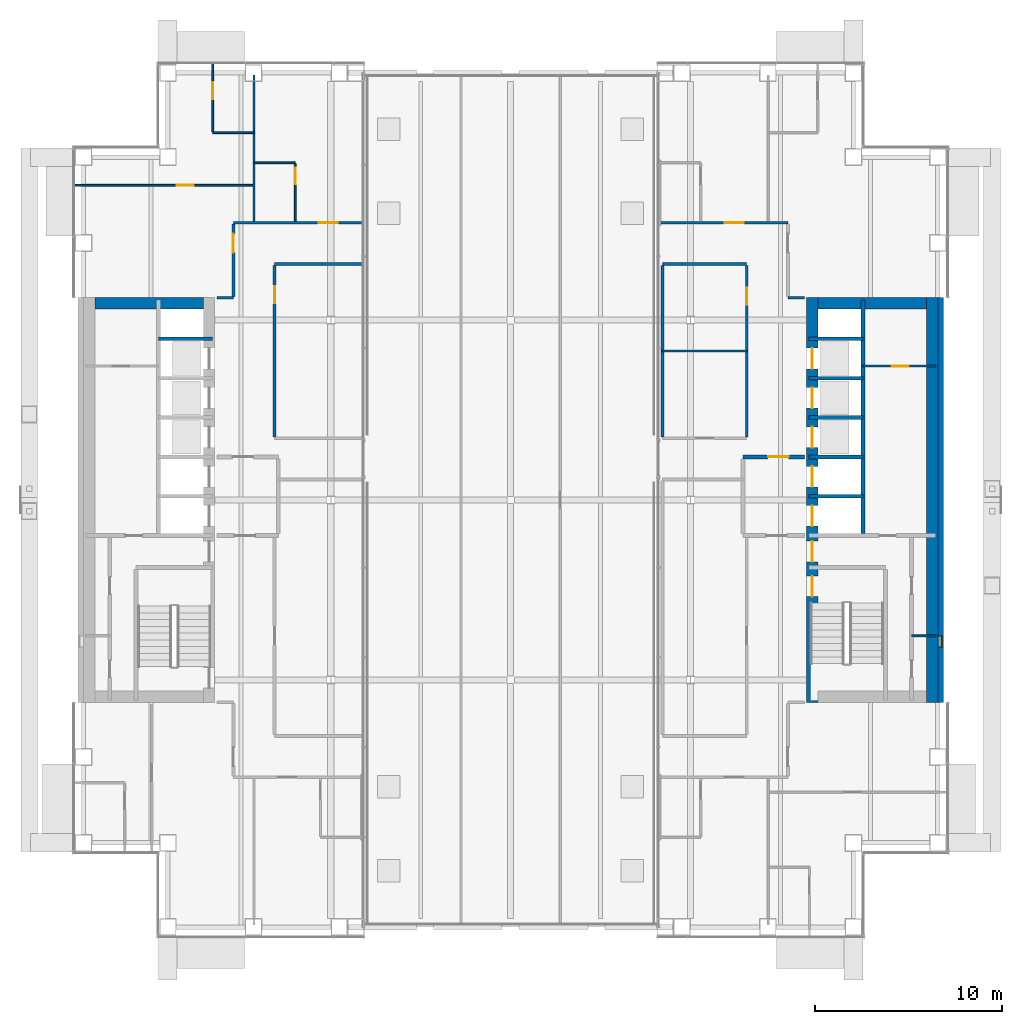
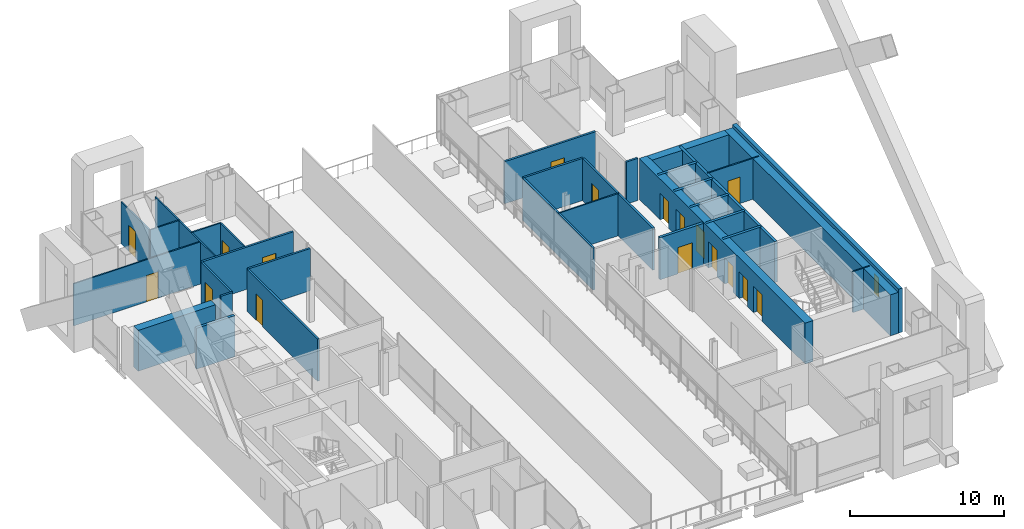
# One storey, part 15 of 20: 32 walls, 17 doors, 1 window, 18 openings.
"""IFC4 building model written with IfcOpenShell, lengths in metres."""

from ifc_helpers import new_model, si_unit, direction, frame, frame_2d, origin, place, context, subcontext, project, spatial, rectangle, extrude, material, layer, layer_set, type_object, element, fill, save


model = new_model("IFC4")

# Units and contexts
model_context = context("Model", 3, precision=1e-05, world=origin(), true_north=direction((0.0, 1.0)))
body_context = subcontext(model_context, "Body", "Model", "MODEL_VIEW")
ifc_project = project(units=[si_unit("LENGTHUNIT", "METRE"), si_unit("AREAUNIT", "SQUARE_METRE"), si_unit("VOLUMEUNIT", "CUBIC_METRE"), si_unit("PLANEANGLEUNIT", "RADIAN"), si_unit("MASSUNIT", "GRAM", prefix="KILO")], contexts=[model_context])

# Site, building, storey
site_placement = place(None, origin())
site = spatial("IfcSite", under=ifc_project, at=site_placement, CompositionType="ELEMENT")
building_placement = place(site_placement, origin())
building = spatial("IfcBuilding", under=site, at=building_placement, Name="Cobrizo Arcos Hotel Tower", CompositionType="ELEMENT")
storey_placement = place(building_placement, frame((0.0, 0.0, 117.0)))
storey = spatial("IfcBuildingStorey", under=building, at=storey_placement, Name="L29", CompositionType="ELEMENT", Elevation=117.0)

# Walls
ifc_material_1 = material(Name="Gypsum board partition")
ifc_layer_1 = layer(ifc_material_1, 0.14990234375)
ifc_layer_set_1 = layer_set([ifc_layer_1], Name="Corridor wall EI 60 150")
wall_type_1 = type_object("IfcWallType", Name="Corridor wall EI 60 150", PredefinedType="PARTITIONING", material=ifc_layer_set_1)
for number, where, z_axis, x_axis, name in (
    (1, (-15.679931640625, 10.800048828125, 0.0), (0.0, 0.0, 1.0), (1.0, 0.0, 0.0), "Partition 041"),
    (2, (14.800048828125, 10.800048828125, 0.0), (0.0, 0.0, 1.0), (1.0, 0.0, 0.0), "Partition 042"),
):
    element("IfcWall", number, at=place(storey_placement, frame(where, z_axis=z_axis, x_axis=x_axis)), inside=storey, type_object=wall_type_1, Name=name, PredefinedType="PARTITIONING", context=body_context, shape_type="SweptSolid", body=[
        extrude(rectangle(XDim=0.8798828125, YDim=0.14990234375, at=frame_2d((0.43994140625, 0.0))), origin(), (0.0, 0.0, 1.0), 3.35009765625),
    ])
wall_1_placement = place(storey_placement, frame((-12.60009765625, 12.60009765625, 0.0), z_axis=(0.0, 0.0, 1.0), x_axis=(1.0, 0.0, 0.0)))
element("IfcWall", 3, at=wall_1_placement, inside=storey, type_object=wall_type_1, Name="Partition 043", PredefinedType="PARTITIONING", context=body_context, shape_type="SweptSolid", body=[
    extrude(rectangle(XDim=4.68017578125, YDim=0.14990234375, at=frame_2d((2.340087890625, 0.0))), origin(), (0.0, 0.0, 1.0), 3.35009765625),
])
wall_2_placement = place(storey_placement, frame((8.10009765625, 12.60009765625, 0.0), z_axis=(0.0, 0.0, 1.0), x_axis=(1.0, 0.0, 0.0)))
element("IfcWall", 4, at=wall_2_placement, inside=storey, type_object=wall_type_1, Name="Partition 044", PredefinedType="PARTITIONING", context=body_context, shape_type="SweptSolid", body=[
    extrude(rectangle(XDim=4.5, YDim=0.14990234375, at=frame_2d((2.25, 0.0))), origin(), (0.0, 0.0, 1.0), 3.35009765625),
])

# Wall, opening, door
wall_3_placement = place(storey_placement, frame((-14.800048828125, 14.800048828125, 0.0), z_axis=(0.0, 0.0, 1.0), x_axis=(1.0, 0.0, 0.0)))
wall_3 = element("IfcWall", 5, at=wall_3_placement, inside=storey, type_object=wall_type_1, Name="Partition 045", PredefinedType="PARTITIONING", context=body_context, shape_type="SweptSolid", body=[
    extrude(rectangle(XDim=6.880126953125, YDim=0.14990234375, at=frame_2d((3.43994140625, 0.0))), origin(), (0.0, 0.0, 1.0), 3.35009765625),
])
opening_1_placement = place(wall_3_placement, frame((4.56201171875, 0.0, 0.0)))
opening_1 = element("IfcOpeningElement", 6, at=opening_1_placement, cuts=wall_3, Name="Opening GD-02", PredefinedType="OPENING", context=body_context, shape_type="SweptSolid", body=[
    extrude(rectangle(XDim=1.0, YDim=2.10009765625, at=frame_2d((0.5, 1.050048828125))), frame((0.0, 0.0869140625, 0.0), z_axis=(0.0, -1.0, 0.0), x_axis=(1.0, 0.0, 0.0)), (0.0, 0.0, 1.0), 0.173828125),
])
ifc_material_2 = material(Name="Timber door leaf", Category="wood")
door_type_1 = type_object("IfcDoorType", Name="Guest room door FD30S 1000x2100", OperationType="SINGLE_SWING_LEFT", PredefinedType="DOOR", material=ifc_material_2)
door_1_placement = place(opening_1_placement, origin())
door_1 = element("IfcDoor", 7, at=door_1_placement, inside=storey, type_object=door_type_1, Name="Door GD-02", OperationType="SINGLE_SWING_LEFT", OverallHeight=2.10009765625, OverallWidth=1.0, PredefinedType="DOOR", context=body_context, shape_type="SweptSolid", body=[
    extrude(rectangle(XDim=1.0, YDim=2.10009765625, at=frame_2d((0.5, 1.050048828125))), frame((0.0, 0.02490234375, 0.0), z_axis=(0.0, -1.0, 0.0), x_axis=(1.0, 0.0, 0.0)), (0.0, 0.0, 1.0), 0.050048828125),
])
fill(opening_1, door_1)

wall_4_placement = place(storey_placement, frame((7.949951171875, 14.800048828125, 0.0), z_axis=(0.0, 0.0, 1.0), x_axis=(1.0, 0.0, 0.0)))
wall_4 = element("IfcWall", 8, at=wall_4_placement, inside=storey, type_object=wall_type_1, Name="Partition 046", PredefinedType="PARTITIONING", context=body_context, shape_type="SweptSolid", body=[
    extrude(rectangle(XDim=6.85009765625, YDim=0.14990234375, at=frame_2d((3.425048828125, 0.0))), origin(), (0.0, 0.0, 1.0), 3.35009765625),
])
opening_2_placement = place(wall_4_placement, frame((3.487060546875, 0.0, 0.0)))
opening_2 = element("IfcOpeningElement", 9, at=opening_2_placement, cuts=wall_4, Name="Opening GD-01", PredefinedType="OPENING", context=body_context, shape_type="SweptSolid", body=[
    extrude(rectangle(XDim=1.0, YDim=2.10009765625, at=frame_2d((0.5, 1.050048828125))), frame((0.0, 0.0869140625, 0.0), z_axis=(0.0, -1.0, 0.0), x_axis=(1.0, 0.0, 0.0)), (0.0, 0.0, 1.0), 0.173828125),
])
door_2_placement = place(opening_2_placement, origin())
door_2 = element("IfcDoor", 10, at=door_2_placement, inside=storey, type_object=door_type_1, Name="Door GD-01", OperationType="SINGLE_SWING_LEFT", OverallHeight=2.10009765625, OverallWidth=1.0, PredefinedType="DOOR", context=body_context, shape_type="SweptSolid", body=[
    extrude(rectangle(XDim=1.0, YDim=2.10009765625, at=frame_2d((0.5, 1.050048828125))), frame((0.0, 0.02490234375, 0.0), z_axis=(0.0, -1.0, 0.0), x_axis=(1.0, 0.0, 0.0)), (0.0, 0.0, 1.0), 0.050048828125),
])
fill(opening_2, door_2)

wall_5_placement = place(storey_placement, frame((-14.800048828125, 10.875, 0.0), z_axis=(0.0, 0.0, 1.0), x_axis=(0.0, 1.0, 0.0)))
wall_5 = element("IfcWall", 11, at=wall_5_placement, inside=storey, type_object=wall_type_1, Name="Partition 059", PredefinedType="PARTITIONING", context=body_context, shape_type="SweptSolid", body=[
    extrude(rectangle(XDim=3.85009765625, YDim=0.14990234375, at=frame_2d((1.925048828125, 0.0))), origin(), (0.0, 0.0, 1.0), 3.35009765625),
])
opening_3_placement = place(wall_5_placement, frame((2.324951171875, 0.0, 0.0)))
opening_3 = element("IfcOpeningElement", 12, at=opening_3_placement, cuts=wall_5, Name="Opening GD-06", PredefinedType="OPENING", context=body_context, shape_type="SweptSolid", body=[
    extrude(rectangle(XDim=1.0, YDim=2.10009765625, at=frame_2d((0.5, 1.050048828125))), frame((0.0, 0.0869140625, 0.0), z_axis=(0.0, -1.0, 0.0), x_axis=(1.0, 0.0, 0.0)), (0.0, 0.0, 1.0), 0.173828125),
])
door_3_placement = place(opening_3_placement, origin())
door_3 = element("IfcDoor", 13, at=door_3_placement, inside=storey, type_object=door_type_1, Name="Door GD-06", OperationType="SINGLE_SWING_RIGHT", OverallHeight=2.10009765625, OverallWidth=1.0, PredefinedType="DOOR", context=body_context, shape_type="SweptSolid", body=[
    extrude(rectangle(XDim=1.0, YDim=2.10009765625, at=frame_2d((0.5, 1.050048828125))), frame((0.0, 0.02490234375, 0.0), z_axis=(0.0, -1.0, 0.0), x_axis=(1.0, 0.0, 0.0)), (0.0, 0.0, 1.0), 0.050048828125),
])
fill(opening_3, door_3)

wall_6_placement = place(storey_placement, frame((-12.60009765625, 3.375, 0.0), z_axis=(0.0, 0.0, 1.0), x_axis=(0.0, 1.0, 0.0)))
wall_6 = element("IfcWall", 14, at=wall_6_placement, inside=storey, type_object=wall_type_1, Name="Partition 063", PredefinedType="PARTITIONING", context=body_context, shape_type="SweptSolid", body=[
    extrude(rectangle(XDim=9.14990234375, YDim=0.14990234375, at=frame_2d((4.574951171875, 0.0))), origin(), (0.0, 0.0, 1.0), 3.35009765625),
])
opening_4_placement = place(wall_6_placement, frame((7.125, 0.0, 0.0)))
opening_4 = element("IfcOpeningElement", 15, at=opening_4_placement, cuts=wall_6, Name="Opening RD-10", PredefinedType="OPENING", context=body_context, shape_type="SweptSolid", body=[
    extrude(rectangle(XDim=0.89990234375, YDim=2.10009765625, at=frame_2d((0.449951171875, 1.050048828125))), frame((0.0, 0.0869140625, 0.0), z_axis=(0.0, -1.0, 0.0), x_axis=(1.0, 0.0, 0.0)), (0.0, 0.0, 1.0), 0.173828125),
])
door_type_2 = type_object("IfcDoorType", Name="Room door FD30 900x2100", OperationType="SINGLE_SWING_LEFT", PredefinedType="DOOR", material=ifc_material_2)
door_4_placement = place(opening_4_placement, origin())
door_4 = element("IfcDoor", 16, at=door_4_placement, inside=storey, type_object=door_type_2, Name="Door RD-10", OperationType="SINGLE_SWING_LEFT", OverallHeight=2.10009765625, OverallWidth=0.89990234375, PredefinedType="DOOR", context=body_context, shape_type="SweptSolid", body=[
    extrude(rectangle(XDim=0.89990234375, YDim=2.10009765625, at=frame_2d((0.449951171875, 1.050048828125))), frame((0.0, 0.02490234375, 0.0), z_axis=(0.0, -1.0, 0.0), x_axis=(1.0, 0.0, 0.0)), (0.0, 0.0, 1.0), 0.050048828125),
])
fill(opening_4, door_4)

# Wall
wall_7_placement = place(storey_placement, frame((8.10009765625, 3.375, 0.0), z_axis=(0.0, 0.0, 1.0), x_axis=(0.0, 1.0, 0.0)))
element("IfcWall", 17, at=wall_7_placement, inside=storey, type_object=wall_type_1, Name="Partition 073", PredefinedType="PARTITIONING", context=body_context, shape_type="SweptSolid", body=[
    extrude(rectangle(XDim=9.14990234375, YDim=0.14990234375, at=frame_2d((4.574951171875, 0.0))), origin(), (0.0, 0.0, 1.0), 3.35009765625),
])

# Wall, opening, door
wall_8_placement = place(storey_placement, frame((12.60009765625, 3.375, 0.0), z_axis=(0.0, 0.0, 1.0), x_axis=(0.0, 1.0, 0.0)))
wall_8 = element("IfcWall", 18, at=wall_8_placement, inside=storey, type_object=wall_type_1, Name="Partition 078", PredefinedType="PARTITIONING", context=body_context, shape_type="SweptSolid", body=[
    extrude(rectangle(XDim=9.14990234375, YDim=0.14990234375, at=frame_2d((4.574951171875, 0.0))), origin(), (0.0, 0.0, 1.0), 3.35009765625),
])
opening_5_placement = place(wall_8_placement, frame((7.050048828125, 0.0, 0.0)))
opening_5 = element("IfcOpeningElement", 19, at=opening_5_placement, cuts=wall_8, Name="Opening ED-12", PredefinedType="OPENING", context=body_context, shape_type="SweptSolid", body=[
    extrude(rectangle(XDim=0.89990234375, YDim=2.10009765625, at=frame_2d((0.449951171875, 1.050048828125))), frame((0.0, 0.0869140625, 0.0), z_axis=(0.0, -1.0, 0.0), x_axis=(1.0, 0.0, 0.0)), (0.0, 0.0, 1.0), 0.173828125),
])
door_type_3 = type_object("IfcDoorType", Name="En-suite door 900x2100", OperationType="SINGLE_SWING_LEFT", PredefinedType="DOOR", material=ifc_material_2)
door_5_placement = place(opening_5_placement, origin())
door_5 = element("IfcDoor", 20, at=door_5_placement, inside=storey, type_object=door_type_3, Name="Door ED-12", OperationType="SINGLE_SWING_LEFT", OverallHeight=2.10009765625, OverallWidth=0.89990234375, PredefinedType="DOOR", context=body_context, shape_type="SweptSolid", body=[
    extrude(rectangle(XDim=0.89990234375, YDim=2.10009765625, at=frame_2d((0.449951171875, 1.050048828125))), frame((0.0, 0.02490234375, 0.0), z_axis=(0.0, -1.0, 0.0), x_axis=(1.0, 0.0, 0.0)), (0.0, 0.0, 1.0), 0.050048828125),
])
fill(opening_5, door_5)

# Wall, opening, window
ifc_material_3 = material(Name="Aluminium composite panel pale metal", Category="aluminium")
ifc_layer_2 = layer(ifc_material_3, 0.300048828125)
ifc_layer_set_2 = layer_set([ifc_layer_2], Name="EW-1 insulated panel wall 300")
wall_type_2 = type_object("IfcWallType", Name="EW-1 insulated panel wall 300", PredefinedType="SOLIDWALL", material=ifc_layer_set_2)
wall_9_placement = place(storey_placement, frame((22.949951171875, -10.800048828125, 0.0), z_axis=(0.0, 0.0, 1.0), x_axis=(0.0, 1.0, 0.0)))
wall_9 = element("IfcWall", 21, at=wall_9_placement, inside=storey, type_object=wall_type_2, Name="Core face wall L29 E", PredefinedType="SOLIDWALL", context=body_context, shape_type="SweptSolid", body=[
    extrude(rectangle(XDim=21.60009765625, YDim=0.300048828125, at=frame_2d((10.800048828125, 0.0))), origin(), (0.0, 0.0, 1.0), 3.5),
])
opening_6_placement = place(wall_9_placement, frame((2.949951171875, 0.0, 1.0)))
opening_6 = element("IfcOpeningElement", 22, at=opening_6_placement, cuts=wall_9, Name="Opening W-59", PredefinedType="OPENING", context=body_context, shape_type="SweptSolid", body=[
    extrude(rectangle(XDim=0.60009765625, YDim=1.5, at=frame_2d((0.300048828125, 0.75))), frame((0.0, 0.162109375, 0.0), z_axis=(0.0, -1.0, 0.0), x_axis=(1.0, 0.0, 0.0)), (0.0, 0.0, 1.0), 0.323974609375),
])
ifc_material_4 = material(Name="Aluminium 6063-T6 and clear laminated glass", Category="aluminium")
window_type = type_object("IfcWindowType", Name="W-C1 core stair slot window 600x1500", PartitioningType="SINGLE_PANEL", PredefinedType="WINDOW", material=ifc_material_4)
window_placement = place(opening_6_placement, origin())
window = element("IfcWindow", 23, at=window_placement, inside=storey, type_object=window_type, Name="Core face wall L29 E window W-59", OverallHeight=1.5, OverallWidth=0.60009765625, PartitioningType="SINGLE_PANEL", PredefinedType="WINDOW", context=body_context, shape_type="SweptSolid", body=[
    extrude(rectangle(XDim=0.60009765625, YDim=1.5, at=frame_2d((0.300048828125, 0.75))), frame((0.0, -0.06005859375, 0.0), z_axis=(0.0, -1.0, 0.0), x_axis=(1.0, 0.0, 0.0)), (0.0, 0.0, 1.0), 0.06005859375),
])
fill(opening_6, window)

# Wall
ifc_layer_3 = layer(ifc_material_1, 0.10009765625)
ifc_layer_set_3 = layer_set([ifc_layer_3], Name="Partition EI 30 100")
wall_type_3 = type_object("IfcWallType", Name="Partition EI 30 100", PredefinedType="PARTITIONING", material=ifc_layer_set_3)
wall_10_placement = place(storey_placement, frame((21.39990234375, -7.25, 0.0), z_axis=(0.0, 0.0, 1.0), x_axis=(1.0, 0.0, 0.0)))
element("IfcWall", 24, at=wall_10_placement, inside=storey, type_object=wall_type_3, Name="Partition 013", PredefinedType="PARTITIONING", context=body_context, shape_type="SweptSolid", body=[
    extrude(rectangle(XDim=1.280029296875, YDim=0.10009765625, at=frame_2d((0.64013671875, 0.0))), origin(), (0.0, 0.0, 1.0), 3.25),
])

# Wall, opening, door
wall_11_placement = place(storey_placement, frame((18.800048828125, 7.14990234375, 0.0), z_axis=(0.0, 0.0, 1.0), x_axis=(1.0, 0.0, 0.0)))
wall_11 = element("IfcWall", 25, at=wall_11_placement, inside=storey, type_object=wall_type_3, Name="Partition 037", PredefinedType="PARTITIONING", context=body_context, shape_type="SweptSolid", body=[
    extrude(rectangle(XDim=3.8798828125, YDim=0.10009765625, at=frame_2d((1.93994140625, 0.0))), origin(), (0.0, 0.0, 1.0), 3.25),
])
opening_7_placement = place(wall_11_placement, frame((1.550048828125, 0.0, 0.0)))
opening_7 = element("IfcOpeningElement", 26, at=opening_7_placement, cuts=wall_11, Name="Opening RD-06", PredefinedType="OPENING", context=body_context, shape_type="SweptSolid", body=[
    extrude(rectangle(XDim=0.89990234375, YDim=2.10009765625, at=frame_2d((0.449951171875, 1.050048828125))), frame((0.0, 0.06201171875, 0.0), z_axis=(0.0, -1.0, 0.0), x_axis=(1.0, 0.0, 0.0)), (0.0, 0.0, 1.0), 0.1240234375),
])
door_6_placement = place(opening_7_placement, origin())
door_6 = element("IfcDoor", 27, at=door_6_placement, inside=storey, type_object=door_type_2, Name="Door RD-06", OperationType="SINGLE_SWING_LEFT", OverallHeight=2.10009765625, OverallWidth=0.89990234375, PredefinedType="DOOR", context=body_context, shape_type="SweptSolid", body=[
    extrude(rectangle(XDim=0.89990234375, YDim=2.10009765625, at=frame_2d((0.449951171875, 1.050048828125))), frame((0.0, 0.02490234375, 0.0), z_axis=(0.0, -1.0, 0.0), x_axis=(1.0, 0.0, 0.0)), (0.0, 0.0, 1.0), 0.050048828125),
])
fill(opening_7, door_6)

# Wall
wall_12_placement = place(storey_placement, frame((8.10009765625, 7.949951171875, 0.0), z_axis=(0.0, 0.0, 1.0), x_axis=(1.0, 0.0, 0.0)))
element("IfcWall", 28, at=wall_12_placement, inside=storey, type_object=wall_type_3, Name="Partition 038", PredefinedType="PARTITIONING", context=body_context, shape_type="SweptSolid", body=[
    extrude(rectangle(XDim=4.5, YDim=0.10009765625, at=frame_2d((2.25, 0.0))), origin(), (0.0, 0.0, 1.0), 3.35009765625),
])

# Wall, opening, door
wall_13_placement = place(storey_placement, frame((-23.280029296875, 16.800048828125, 0.0), z_axis=(0.0, 0.0, 1.0), x_axis=(1.0, 0.0, 0.0)))
wall_13 = element("IfcWall", 29, at=wall_13_placement, inside=storey, type_object=wall_type_3, Name="Partition 047", PredefinedType="PARTITIONING", context=body_context, shape_type="SweptSolid", body=[
    extrude(rectangle(XDim=9.580078125, YDim=0.10009765625, at=frame_2d((4.7900390625, 0.0))), origin(), (0.0, 0.0, 1.0), 3.35009765625),
])
opening_8_placement = place(wall_13_placement, frame((5.468017578125, 0.0, 0.0)))
opening_8 = element("IfcOpeningElement", 30, at=opening_8_placement, cuts=wall_13, Name="Opening RD-08", PredefinedType="OPENING", context=body_context, shape_type="SweptSolid", body=[
    extrude(rectangle(XDim=0.89990234375, YDim=2.10009765625, at=frame_2d((0.449951171875, 1.050048828125))), frame((0.0, 0.06201171875, 0.0), z_axis=(0.0, -1.0, 0.0), x_axis=(1.0, 0.0, 0.0)), (0.0, 0.0, 1.0), 0.1240234375),
])
door_7_placement = place(opening_8_placement, origin())
door_7 = element("IfcDoor", 31, at=door_7_placement, inside=storey, type_object=door_type_2, Name="Door RD-08", OperationType="SINGLE_SWING_LEFT", OverallHeight=2.10009765625, OverallWidth=0.89990234375, PredefinedType="DOOR", context=body_context, shape_type="SweptSolid", body=[
    extrude(rectangle(XDim=0.89990234375, YDim=2.10009765625, at=frame_2d((0.449951171875, 1.050048828125))), frame((0.0, 0.02490234375, 0.0), z_axis=(0.0, -1.0, 0.0), x_axis=(1.0, 0.0, 0.0)), (0.0, 0.0, 1.0), 0.050048828125),
])
fill(opening_8, door_7)

# Walls
for number, where, z_axis, x_axis, name in (
    (32, (-13.699951171875, 18.0, 0.0), (0.0, 0.0, 1.0), (1.0, 0.0, 0.0), "Partition 048"),
    (33, (-15.89990234375, 19.60009765625, 0.0), (0.0, 0.0, 1.0), (1.0, 0.0, 0.0), "Partition 050"),
):
    element("IfcWall", number, at=place(storey_placement, frame(where, z_axis=z_axis, x_axis=x_axis)), inside=storey, type_object=wall_type_3, Name=name, PredefinedType="PARTITIONING", context=body_context, shape_type="SweptSolid", body=[
        extrude(rectangle(XDim=2.199951171875, YDim=0.10009765625, at=frame_2d((1.10009765625, 0.0))), origin(), (0.0, 0.0, 1.0), 3.35009765625),
    ])

# Wall, opening, door
wall_14_placement = place(storey_placement, frame((-15.89990234375, 19.64990234375, 0.0), z_axis=(0.0, 0.0, 1.0), x_axis=(0.0, 1.0, 0.0)))
wall_14 = element("IfcWall", 34, at=wall_14_placement, inside=storey, type_object=wall_type_3, Name="Partition 057", PredefinedType="PARTITIONING", context=body_context, shape_type="SweptSolid", body=[
    extrude(rectangle(XDim=3.630126953125, YDim=0.10009765625, at=frame_2d((1.81494140625, 0.0))), origin(), (0.0, 0.0, 1.0), 3.35009765625),
])
opening_9_placement = place(wall_14_placement, frame((1.739990234375, 0.0, 0.0)))
opening_9 = element("IfcOpeningElement", 35, at=opening_9_placement, cuts=wall_14, Name="Opening ED-08", PredefinedType="OPENING", context=body_context, shape_type="SweptSolid", body=[
    extrude(rectangle(XDim=0.89990234375, YDim=2.10009765625, at=frame_2d((0.449951171875, 1.050048828125))), frame((0.0, 0.06201171875, 0.0), z_axis=(0.0, -1.0, 0.0), x_axis=(1.0, 0.0, 0.0)), (0.0, 0.0, 1.0), 0.1240234375),
])
door_8_placement = place(opening_9_placement, origin())
door_8 = element("IfcDoor", 36, at=door_8_placement, inside=storey, type_object=door_type_3, Name="Door ED-08", OperationType="SINGLE_SWING_LEFT", OverallHeight=2.10009765625, OverallWidth=0.89990234375, PredefinedType="DOOR", context=body_context, shape_type="SweptSolid", body=[
    extrude(rectangle(XDim=0.89990234375, YDim=2.10009765625, at=frame_2d((0.449951171875, 1.050048828125))), frame((0.0, 0.02490234375, 0.0), z_axis=(0.0, -1.0, 0.0), x_axis=(1.0, 0.0, 0.0)), (0.0, 0.0, 1.0), 0.050048828125),
])
fill(opening_9, door_8)

# Wall
wall_15_placement = place(storey_placement, frame((-13.699951171875, 14.875, 0.0), z_axis=(0.0, 0.0, 1.0), x_axis=(0.0, 1.0, 0.0)))
element("IfcWall", 37, at=wall_15_placement, inside=storey, type_object=wall_type_3, Name="Partition 061", PredefinedType="PARTITIONING", context=body_context, shape_type="SweptSolid", body=[
    extrude(rectangle(XDim=7.804931640625, YDim=0.10009765625, at=frame_2d((3.90234375, 0.0))), origin(), (0.0, 0.0, 1.0), 3.35009765625),
])

# Wall, opening, door
wall_16_placement = place(storey_placement, frame((-11.5, 14.875, 0.0), z_axis=(0.0, 0.0, 1.0), x_axis=(0.0, 1.0, 0.0)))
wall_16 = element("IfcWall", 38, at=wall_16_placement, inside=storey, type_object=wall_type_3, Name="Partition 065", PredefinedType="PARTITIONING", context=body_context, shape_type="SweptSolid", body=[
    extrude(rectangle(XDim=3.074951171875, YDim=0.10009765625, at=frame_2d((1.53759765625, 0.0))), origin(), (0.0, 0.0, 1.0), 3.35009765625),
])
opening_10_placement = place(wall_16_placement, frame((1.970947265625, 0.0, 0.0)))
opening_10 = element("IfcOpeningElement", 39, at=opening_10_placement, cuts=wall_16, Name="Opening ED-04", PredefinedType="OPENING", context=body_context, shape_type="SweptSolid", body=[
    extrude(rectangle(XDim=0.89990234375, YDim=2.10009765625, at=frame_2d((0.449951171875, 1.050048828125))), frame((0.0, 0.06201171875, 0.0), z_axis=(0.0, -1.0, 0.0), x_axis=(1.0, 0.0, 0.0)), (0.0, 0.0, 1.0), 0.1240234375),
])
door_9_placement = place(opening_10_placement, origin())
door_9 = element("IfcDoor", 40, at=door_9_placement, inside=storey, type_object=door_type_3, Name="Door ED-04", OperationType="SINGLE_SWING_RIGHT", OverallHeight=2.10009765625, OverallWidth=0.89990234375, PredefinedType="DOOR", context=body_context, shape_type="SweptSolid", body=[
    extrude(rectangle(XDim=0.89990234375, YDim=2.10009765625, at=frame_2d((0.449951171875, 1.050048828125))), frame((0.0, 0.02490234375, 0.0), z_axis=(0.0, -1.0, 0.0), x_axis=(1.0, 0.0, 0.0)), (0.0, 0.0, 1.0), 0.050048828125),
])
fill(opening_10, door_9)

# Wall, openings, doors
ifc_material_5 = material(Name="Concrete f'c 50 MPa", Category="concrete")
ifc_layer_4 = layer(ifc_material_5, 0.60009765625)
ifc_layer_set_4 = layer_set([ifc_layer_4], Name="RC core wall 600 f'c 50")
wall_type_4 = type_object("IfcWallType", Name="RC core wall 600 f'c 50", PredefinedType="SHEAR", material=ifc_layer_set_4)
wall_17_placement = place(storey_placement, frame((16.10009765625, -10.800048828125, 0.0), z_axis=(0.0, 0.0, 1.0), x_axis=(0.0, 1.0, 0.0)))
wall_17 = element("IfcWall", 41, at=wall_17_placement, inside=storey, type_object=wall_type_4, Name="Core wall CW2, east core, inner face, L29", PredefinedType="SHEAR", context=body_context, shape_type="SweptSolid", body=[
    extrude(rectangle(XDim=21.60009765625, YDim=0.60009765625, at=frame_2d((10.800048828125, 0.0))), origin(), (0.0, 0.0, 1.0), 3.25),
])
opening_11_placement = place(wall_17_placement, frame((9.39990234375, 0.0, 0.0)))
opening_11 = element("IfcOpeningElement", 42, at=opening_11_placement, cuts=wall_17, Name="Opening LD-06", PredefinedType="OPENING", context=body_context, shape_type="SweptSolid", body=[
    extrude(rectangle(XDim=1.10009765625, YDim=2.10009765625, at=frame_2d((0.550048828125, 1.050048828125))), frame((0.0, 0.31201171875, 0.0), z_axis=(0.0, -1.0, 0.0), x_axis=(1.0, 0.0, 0.0)), (0.0, 0.0, 1.0), 0.6240234375),
])
opening_12_placement = place(wall_17_placement, frame((11.5, 0.0, 0.0)))
opening_12 = element("IfcOpeningElement", 43, at=opening_12_placement, cuts=wall_17, Name="Opening LD-07", PredefinedType="OPENING", context=body_context, shape_type="SweptSolid", body=[
    extrude(rectangle(XDim=1.10009765625, YDim=2.10009765625, at=frame_2d((0.550048828125, 1.050048828125))), frame((0.0, 0.31201171875, 0.0), z_axis=(0.0, -1.0, 0.0), x_axis=(1.0, 0.0, 0.0)), (0.0, 0.0, 1.0), 0.6240234375),
])
opening_13_placement = place(wall_17_placement, frame((13.60009765625, 0.0, 0.0)))
opening_13 = element("IfcOpeningElement", 44, at=opening_13_placement, cuts=wall_17, Name="Opening LD-08", PredefinedType="OPENING", context=body_context, shape_type="SweptSolid", body=[
    extrude(rectangle(XDim=1.10009765625, YDim=2.10009765625, at=frame_2d((0.550048828125, 1.050048828125))), frame((0.0, 0.31201171875, 0.0), z_axis=(0.0, -1.0, 0.0), x_axis=(1.0, 0.0, 0.0)), (0.0, 0.0, 1.0), 0.6240234375),
])
opening_14_placement = place(wall_17_placement, frame((15.699951171875, 0.0, 0.0)))
opening_14 = element("IfcOpeningElement", 45, at=opening_14_placement, cuts=wall_17, Name="Opening LD-09", PredefinedType="OPENING", context=body_context, shape_type="SweptSolid", body=[
    extrude(rectangle(XDim=1.10009765625, YDim=2.10009765625, at=frame_2d((0.550048828125, 1.050048828125))), frame((0.0, 0.31201171875, 0.0), z_axis=(0.0, -1.0, 0.0), x_axis=(1.0, 0.0, 0.0)), (0.0, 0.0, 1.0), 0.6240234375),
])
opening_15_placement = place(wall_17_placement, frame((17.800048828125, 0.0, 0.0)))
opening_15 = element("IfcOpeningElement", 46, at=opening_15_placement, cuts=wall_17, Name="Opening LD-10", PredefinedType="OPENING", context=body_context, shape_type="SweptSolid", body=[
    extrude(rectangle(XDim=1.10009765625, YDim=2.10009765625, at=frame_2d((0.550048828125, 1.050048828125))), frame((0.0, 0.31201171875, 0.0), z_axis=(0.0, -1.0, 0.0), x_axis=(1.0, 0.0, 0.0)), (0.0, 0.0, 1.0), 0.6240234375),
])
opening_16_placement = place(wall_17_placement, frame((5.64208984375, 0.0, 0.0)))
opening_16 = element("IfcOpeningElement", 47, at=opening_16_placement, cuts=wall_17, Name="Opening SD-02", PredefinedType="OPENING", context=body_context, shape_type="SweptSolid", body=[
    extrude(rectangle(XDim=1.10009765625, YDim=2.10009765625, at=frame_2d((0.550048828125, 1.050048828125))), frame((0.0, 0.31201171875, 0.0), z_axis=(0.0, -1.0, 0.0), x_axis=(1.0, 0.0, 0.0)), (0.0, 0.0, 1.0), 0.6240234375),
])
opening_17_placement = place(wall_17_placement, frame((7.5, 0.0, 0.0)))
opening_17 = element("IfcOpeningElement", 48, at=opening_17_placement, cuts=wall_17, Name="Opening FD-04", PredefinedType="OPENING", context=body_context, shape_type="SweptSolid", body=[
    extrude(rectangle(XDim=1.10009765625, YDim=2.10009765625, at=frame_2d((0.550048828125, 1.050048828125))), frame((0.0, 0.31201171875, 0.0), z_axis=(0.0, -1.0, 0.0), x_axis=(1.0, 0.0, 0.0)), (0.0, 0.0, 1.0), 0.6240234375),
])
ifc_material_6 = material(Name="Steel door leaf", Category="steel")
door_type_4 = type_object("IfcDoorType", Name="Fire door FD60 1100x2100", OperationType="SINGLE_SWING_LEFT", PredefinedType="DOOR", material=ifc_material_6)
door_10_placement = place(opening_17_placement, origin())
door_10 = element("IfcDoor", 49, at=door_10_placement, inside=storey, type_object=door_type_4, Name="Door FD-04", OperationType="SINGLE_SWING_LEFT", OverallHeight=2.10009765625, OverallWidth=1.10009765625, PredefinedType="DOOR", context=body_context, shape_type="SweptSolid", body=[
    extrude(rectangle(XDim=1.10009765625, YDim=2.10009765625, at=frame_2d((0.550048828125, 1.050048828125))), frame((0.0, 0.02490234375, 0.0), z_axis=(0.0, -1.0, 0.0), x_axis=(1.0, 0.0, 0.0)), (0.0, 0.0, 1.0), 0.050048828125),
])
fill(opening_17, door_10)
door_type_5 = type_object("IfcDoorType", Name="Lift landing door 1100x2100", OperationType="SLIDING_TO_LEFT", PredefinedType="DOOR", material=ifc_material_6)
door_11_placement = place(opening_11_placement, origin())
door_11 = element("IfcDoor", 50, at=door_11_placement, inside=storey, type_object=door_type_5, Name="Lift landing door LD-06", OperationType="SLIDING_TO_LEFT", OverallHeight=2.10009765625, OverallWidth=1.10009765625, PredefinedType="DOOR", context=body_context, shape_type="SweptSolid", body=[
    extrude(rectangle(XDim=1.10009765625, YDim=2.10009765625, at=frame_2d((0.550048828125, 1.050048828125))), frame((0.0, 0.02490234375, 0.0), z_axis=(0.0, -1.0, 0.0), x_axis=(1.0, 0.0, 0.0)), (0.0, 0.0, 1.0), 0.050048828125),
])
fill(opening_11, door_11)
door_12_placement = place(opening_12_placement, origin())
door_12 = element("IfcDoor", 51, at=door_12_placement, inside=storey, type_object=door_type_5, Name="Lift landing door LD-07", OperationType="SLIDING_TO_LEFT", OverallHeight=2.10009765625, OverallWidth=1.10009765625, PredefinedType="DOOR", context=body_context, shape_type="SweptSolid", body=[
    extrude(rectangle(XDim=1.10009765625, YDim=2.10009765625, at=frame_2d((0.550048828125, 1.050048828125))), frame((0.0, 0.02490234375, 0.0), z_axis=(0.0, -1.0, 0.0), x_axis=(1.0, 0.0, 0.0)), (0.0, 0.0, 1.0), 0.050048828125),
])
fill(opening_12, door_12)
door_13_placement = place(opening_13_placement, origin())
door_13 = element("IfcDoor", 52, at=door_13_placement, inside=storey, type_object=door_type_5, Name="Lift landing door LD-08", OperationType="SLIDING_TO_LEFT", OverallHeight=2.10009765625, OverallWidth=1.10009765625, PredefinedType="DOOR", context=body_context, shape_type="SweptSolid", body=[
    extrude(rectangle(XDim=1.10009765625, YDim=2.10009765625, at=frame_2d((0.550048828125, 1.050048828125))), frame((0.0, 0.02490234375, 0.0), z_axis=(0.0, -1.0, 0.0), x_axis=(1.0, 0.0, 0.0)), (0.0, 0.0, 1.0), 0.050048828125),
])
fill(opening_13, door_13)
door_14_placement = place(opening_14_placement, origin())
door_14 = element("IfcDoor", 53, at=door_14_placement, inside=storey, type_object=door_type_5, Name="Lift landing door LD-09", OperationType="SLIDING_TO_LEFT", OverallHeight=2.10009765625, OverallWidth=1.10009765625, PredefinedType="DOOR", context=body_context, shape_type="SweptSolid", body=[
    extrude(rectangle(XDim=1.10009765625, YDim=2.10009765625, at=frame_2d((0.550048828125, 1.050048828125))), frame((0.0, 0.02490234375, 0.0), z_axis=(0.0, -1.0, 0.0), x_axis=(1.0, 0.0, 0.0)), (0.0, 0.0, 1.0), 0.050048828125),
])
fill(opening_14, door_14)
door_15_placement = place(opening_15_placement, origin())
door_15 = element("IfcDoor", 54, at=door_15_placement, inside=storey, type_object=door_type_5, Name="Lift landing door LD-10", OperationType="SLIDING_TO_LEFT", OverallHeight=2.10009765625, OverallWidth=1.10009765625, PredefinedType="DOOR", context=body_context, shape_type="SweptSolid", body=[
    extrude(rectangle(XDim=1.10009765625, YDim=2.10009765625, at=frame_2d((0.550048828125, 1.050048828125))), frame((0.0, 0.02490234375, 0.0), z_axis=(0.0, -1.0, 0.0), x_axis=(1.0, 0.0, 0.0)), (0.0, 0.0, 1.0), 0.050048828125),
])
fill(opening_15, door_15)
door_type_6 = type_object("IfcDoorType", Name="Stair door FD60S 1100x2100", OperationType="SINGLE_SWING_LEFT", PredefinedType="DOOR", material=ifc_material_6)
door_16_placement = place(opening_16_placement, origin())
door_16 = element("IfcDoor", 55, at=door_16_placement, inside=storey, type_object=door_type_6, Name="Door SD-02", OperationType="SINGLE_SWING_RIGHT", OverallHeight=2.10009765625, OverallWidth=1.10009765625, PredefinedType="DOOR", context=body_context, shape_type="SweptSolid", body=[
    extrude(rectangle(XDim=1.10009765625, YDim=2.10009765625, at=frame_2d((0.550048828125, 1.050048828125))), frame((0.0, 0.02490234375, 0.0), z_axis=(0.0, -1.0, 0.0), x_axis=(1.0, 0.0, 0.0)), (0.0, 0.0, 1.0), 0.050048828125),
])
fill(opening_16, door_16)

# Walls
wall_18_placement = place(storey_placement, frame((22.5, -10.800048828125, 0.0), z_axis=(0.0, 0.0, 1.0), x_axis=(0.0, 1.0, 0.0)))
element("IfcWall", 56, at=wall_18_placement, inside=storey, type_object=wall_type_4, Name="Core wall CW2, east core, outer face, L29", PredefinedType="SHEAR", context=body_context, shape_type="SweptSolid", body=[
    extrude(rectangle(XDim=21.60009765625, YDim=0.60009765625, at=frame_2d((10.800048828125, 0.0))), origin(), (0.0, 0.0, 1.0), 3.25),
])
for number, where, z_axis, x_axis, name in (
    (57, (16.39990234375, 10.5, 0.0), (0.0, 0.0, 1.0), (1.0, 0.0, 0.0), "Core wall CW2, east core, north end, L29"),
    (58, (-22.199951171875, 10.5, 0.0), (0.0, 0.0, 1.0), (1.0, 0.0, 0.0), "Core wall CW2, west core, north end, L29"),
):
    element("IfcWall", number, at=place(storey_placement, frame(where, z_axis=z_axis, x_axis=x_axis)), inside=storey, type_object=wall_type_4, Name=name, PredefinedType="SHEAR", context=body_context, shape_type="SweptSolid", body=[
        extrude(rectangle(XDim=5.800048828125, YDim=0.60009765625, at=frame_2d((2.89990234375, 0.0))), origin(), (0.0, 0.0, 1.0), 3.25),
    ])
ifc_layer_5 = layer(ifc_material_1, 0.199951171875)
ifc_layer_set_5 = layer_set([ifc_layer_5], Name="Shaft wall EI 120 200")
wall_type_5 = type_object("IfcWallType", Name="Shaft wall EI 120 200", PredefinedType="PARTITIONING", material=ifc_layer_set_5)
wall_19_placement = place(storey_placement, frame((15.919921875, 0.199951171875, 0.0), z_axis=(0.0, 0.0, 1.0), x_axis=(1.0, 0.0, 0.0)))
element("IfcWall", 59, at=wall_19_placement, inside=storey, type_object=wall_type_5, Name="Partition 021", PredefinedType="PARTITIONING", context=body_context, shape_type="SweptSolid", body=[
    extrude(rectangle(XDim=2.880126953125, YDim=0.199951171875, at=frame_2d((1.43994140625, 0.0))), origin(), (0.0, 0.0, 1.0), 3.25),
])

# Wall, opening, door
wall_20_placement = place(storey_placement, frame((12.39990234375, 2.300048828125, 0.0), z_axis=(0.0, 0.0, 1.0), x_axis=(1.0, 0.0, 0.0)))
wall_20 = element("IfcWall", 60, at=wall_20_placement, inside=storey, type_object=wall_type_5, Name="Partition 028", PredefinedType="PARTITIONING", context=body_context, shape_type="SweptSolid", body=[
    extrude(rectangle(XDim=3.280029296875, YDim=0.199951171875, at=frame_2d((1.64013671875, 0.0))), origin(), (0.0, 0.0, 1.0), 3.35009765625),
])
opening_18_placement = place(wall_20_placement, frame((1.340087890625, 0.0, 0.0)))
opening_18 = element("IfcOpeningElement", 61, at=opening_18_placement, cuts=wall_20, Name="Opening FD-06", PredefinedType="OPENING", context=body_context, shape_type="SweptSolid", body=[
    extrude(rectangle(XDim=1.10009765625, YDim=2.10009765625, at=frame_2d((0.550048828125, 1.050048828125))), frame((0.0, 0.112060546875, 0.0), z_axis=(0.0, -1.0, 0.0), x_axis=(1.0, 0.0, 0.0)), (0.0, 0.0, 1.0), 0.223876953125),
])
door_17_placement = place(opening_18_placement, origin())
door_17 = element("IfcDoor", 62, at=door_17_placement, inside=storey, type_object=door_type_4, Name="Door FD-06", OperationType="SINGLE_SWING_LEFT", OverallHeight=2.10009765625, OverallWidth=1.10009765625, PredefinedType="DOOR", context=body_context, shape_type="SweptSolid", body=[
    extrude(rectangle(XDim=1.10009765625, YDim=2.10009765625, at=frame_2d((0.550048828125, 1.050048828125))), frame((0.0, 0.02490234375, 0.0), z_axis=(0.0, -1.0, 0.0), x_axis=(1.0, 0.0, 0.0)), (0.0, 0.0, 1.0), 0.050048828125),
])
fill(opening_18, door_17)

# Walls
for number, where, z_axis, x_axis, name in (
    (63, (15.919921875, 2.300048828125, 0.0), (0.0, 0.0, 1.0), (1.0, 0.0, 0.0), "Partition 029"),
    (64, (15.919921875, 4.39990234375, 0.0), (0.0, 0.0, 1.0), (1.0, 0.0, 0.0), "Partition 033"),
    (65, (15.919921875, 6.5, 0.0), (0.0, 0.0, 1.0), (1.0, 0.0, 0.0), "Partition 035"),
    (66, (-18.800048828125, 8.60009765625, 0.0), (0.0, 0.0, 1.0), (1.0, 0.0, 0.0), "Partition 039"),
    (67, (15.919921875, 8.60009765625, 0.0), (0.0, 0.0, 1.0), (1.0, 0.0, 0.0), "Partition 040"),
):
    element("IfcWall", number, at=place(storey_placement, frame(where, z_axis=z_axis, x_axis=x_axis)), inside=storey, type_object=wall_type_5, Name=name, PredefinedType="PARTITIONING", context=body_context, shape_type="SweptSolid", body=[
        extrude(rectangle(XDim=2.880126953125, YDim=0.199951171875, at=frame_2d((1.43994140625, 0.0))), origin(), (0.0, 0.0, 1.0), 3.25),
    ])
wall_21_placement = place(storey_placement, frame((18.800048828125, -1.800048828125, 0.0), z_axis=(0.0, 0.0, 1.0), x_axis=(0.0, 1.0, 0.0)))
element("IfcWall", 68, at=wall_21_placement, inside=storey, type_object=wall_type_5, Name="Partition 085", PredefinedType="PARTITIONING", context=body_context, shape_type="SweptSolid", body=[
    extrude(rectangle(XDim=12.47998046875, YDim=0.199951171875, at=frame_2d((6.239990234375, 0.0))), origin(), (0.0, 0.0, 1.0), 3.25),
])

save(model, "model.ifc")
